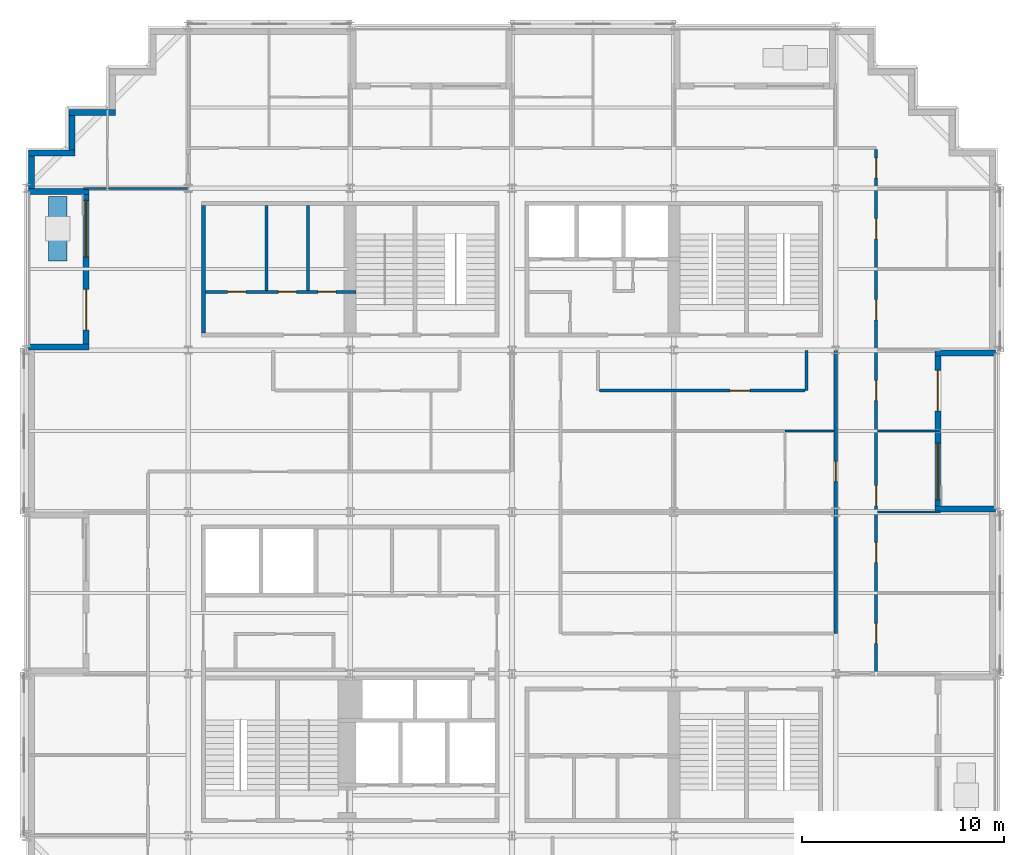
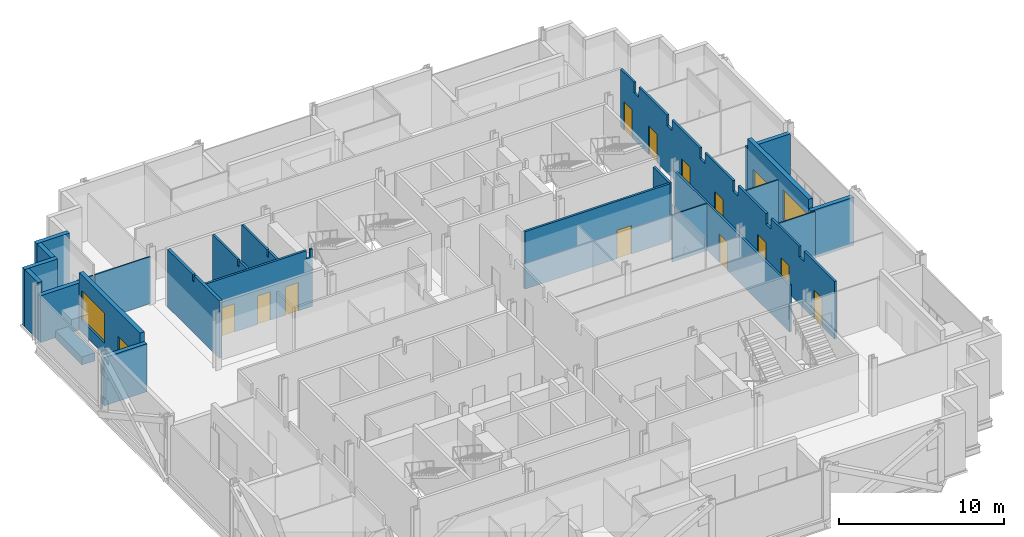
# One storey, part 9 of 15: 24 walls, 14 doors, 2 windows, 16 openings.
"""IFC4 building model written with IfcOpenShell, lengths in metres."""

from ifc_helpers import new_model, si_unit, direction, frame, frame_2d, origin, place, context, subcontext, project, spatial, polyline, rectangle, outline, extrude, material, layer, layer_set, type_object, element, fill, save


model = new_model("IFC4")

# Units and contexts
model_context = context("Model", 3, precision=1e-05, world=origin(), true_north=direction((0.0, 1.0)))
body_context = subcontext(model_context, "Body", "Model", "MODEL_VIEW")
ifc_project = project(units=[si_unit("LENGTHUNIT", "METRE"), si_unit("AREAUNIT", "SQUARE_METRE"), si_unit("VOLUMEUNIT", "CUBIC_METRE"), si_unit("PLANEANGLEUNIT", "RADIAN"), si_unit("MASSUNIT", "GRAM", prefix="KILO")], contexts=[model_context])

# Site, building, storey
site_placement = place(None, origin())
site = spatial("IfcSite", under=ifc_project, at=site_placement, CompositionType="ELEMENT")
building_placement = place(site_placement, origin())
building = spatial("IfcBuilding", under=site, at=building_placement, Name="Immortelle Media Tower", CompositionType="ELEMENT")
storey_placement = place(building_placement, frame((0.0, 0.0, 65.60009765625)))
storey = spatial("IfcBuildingStorey", under=building, at=storey_placement, Name="L11", CompositionType="ELEMENT", Elevation=65.60009765625)

# Wall, openings, doors
ifc_material_1 = material(Name="Fire-rated gypsum board", Category="gypsum")
ifc_layer_1 = layer(ifc_material_1, 0.02490234375)
ifc_material_2 = material(Name="Steel ASTM A653 SS Gr 50 stud frame with mineral wool", Category="steel")
ifc_layer_2 = layer(ifc_material_2, 0.10009765625)
ifc_layer_3 = layer(ifc_material_1, 0.02490234375)
ifc_layer_set_1 = layer_set([ifc_layer_1, ifc_layer_2, ifc_layer_3], Name="Steel ASTM A653 SS Gr 50 stud frame with mineral wool")
wall_type_1 = type_object("IfcWallType", Name="Core partition 150", PredefinedType="PARTITIONING", material=ifc_layer_set_1)
wall_1_placement = place(storey_placement, frame((8.85009765625, 34.875, 0.0), z_axis=(0.0, 0.0, 1.0), x_axis=(1.0, 0.0, 0.0)))
wall_1 = element("IfcWall", 1, at=wall_1_placement, inside=storey, type_object=wall_type_1, Name="Core partition NW", PredefinedType="PARTITIONING", context=body_context, shape_type="SweptSolid", body=[
    extrude(outline(polyline([(0.0, 0.0), (7.449951171875, 0.0), (7.449951171875, 4.25), (7.26953125, 4.25), (7.2685546875, 3.6318359375), (7.031494140625, 3.6318359375), (7.030517578125, 4.25), (0.0, 4.25), (0.0, 0.0)])), frame((0.0, 0.074951171875, 0.0), z_axis=(0.0, -1.0, 0.0), x_axis=(1.0, 0.0, 0.0)), (0.0, 0.0, 1.0), 0.14990234375),
])
opening_1_placement = place(wall_1_placement, frame((1.10009765625, 0.0, 0.0)))
opening_1 = element("IfcOpeningElement", 2, at=opening_1_placement, cuts=wall_1, Name="Opening N3-K043", PredefinedType="OPENING", context=body_context, shape_type="SweptSolid", body=[
    extrude(rectangle(XDim=0.89990234375, YDim=2.10009765625, at=frame_2d((0.449951171875, 1.050048828125))), frame((0.0, 0.0849609375, 0.0), z_axis=(0.0, -1.0, 0.0), x_axis=(1.0, 0.0, 0.0)), (0.0, 0.0, 1.0), 0.169921875),
])
opening_2_placement = place(wall_1_placement, frame((3.60009765625, 0.0, 0.0)))
opening_2 = element("IfcOpeningElement", 3, at=opening_2_placement, cuts=wall_1, Name="Opening N3-K044", PredefinedType="OPENING", context=body_context, shape_type="SweptSolid", body=[
    extrude(rectangle(XDim=0.89990234375, YDim=2.10009765625, at=frame_2d((0.449951171875, 1.050048828125))), frame((0.0, 0.0849609375, 0.0), z_axis=(0.0, -1.0, 0.0), x_axis=(1.0, 0.0, 0.0)), (0.0, 0.0, 1.0), 0.169921875),
])
opening_3_placement = place(wall_1_placement, frame((5.550048828125, 0.0, 0.0)))
opening_3 = element("IfcOpeningElement", 4, at=opening_3_placement, cuts=wall_1, Name="Opening N3-K045", PredefinedType="OPENING", context=body_context, shape_type="SweptSolid", body=[
    extrude(rectangle(XDim=0.89990234375, YDim=2.10009765625, at=frame_2d((0.449951171875, 1.050048828125))), frame((0.0, 0.0849609375, 0.0), z_axis=(0.0, -1.0, 0.0), x_axis=(1.0, 0.0, 0.0)), (0.0, 0.0, 1.0), 0.169921875),
])
ifc_material_3 = material(Name="Timber", Category="wood")
door_type_1 = type_object("IfcDoorType", Name="Room door 900 x 2100", OperationType="NOTDEFINED", PredefinedType="NOTDEFINED", material=ifc_material_3)
door_1_placement = place(opening_1_placement, origin())
door_1 = element("IfcDoor", 5, at=door_1_placement, inside=storey, type_object=door_type_1, Name="Room N3-K043", OperationType="SINGLE_SWING_LEFT", OverallHeight=2.10009765625, OverallWidth=0.89990234375, PredefinedType="NOTDEFINED", context=body_context, shape_type="SweptSolid", body=[
    extrude(rectangle(XDim=0.89990234375, YDim=2.10009765625, at=frame_2d((0.449951171875, 1.050048828125))), frame((0.0, 0.02490234375, 0.0), z_axis=(0.0, -1.0, 0.0), x_axis=(1.0, 0.0, 0.0)), (0.0, 0.0, 1.0), 0.050048828125),
])
fill(opening_1, door_1)
door_2_placement = place(opening_2_placement, origin())
door_2 = element("IfcDoor", 6, at=door_2_placement, inside=storey, type_object=door_type_1, Name="Room N3-K044", OperationType="SINGLE_SWING_RIGHT", OverallHeight=2.10009765625, OverallWidth=0.89990234375, PredefinedType="NOTDEFINED", context=body_context, shape_type="SweptSolid", body=[
    extrude(rectangle(XDim=0.89990234375, YDim=2.10009765625, at=frame_2d((0.449951171875, 1.050048828125))), frame((0.0, 0.02490234375, 0.0), z_axis=(0.0, -1.0, 0.0), x_axis=(1.0, 0.0, 0.0)), (0.0, 0.0, 1.0), 0.050048828125),
])
fill(opening_2, door_2)
ifc_material_4 = material(Name="Galvanised steel door leaf and frame ASTM A653", Category="steel")
door_type_2 = type_object("IfcDoorType", Name="Service door 900 x 2100", OperationType="NOTDEFINED", PredefinedType="NOTDEFINED", material=ifc_material_4)
door_3_placement = place(opening_3_placement, origin())
door_3 = element("IfcDoor", 7, at=door_3_placement, inside=storey, type_object=door_type_2, Name="Service N3-K045", OperationType="SINGLE_SWING_RIGHT", OverallHeight=2.10009765625, OverallWidth=0.89990234375, PredefinedType="NOTDEFINED", context=body_context, shape_type="SweptSolid", body=[
    extrude(rectangle(XDim=0.89990234375, YDim=2.10009765625, at=frame_2d((0.449951171875, 1.050048828125))), frame((0.0, 0.02490234375, 0.0), z_axis=(0.0, -1.0, 0.0), x_axis=(1.0, 0.0, 0.0)), (0.0, 0.0, 1.0), 0.050048828125),
])
fill(opening_3, door_3)

# Walls
for number, where, z_axis, x_axis, name in (
    (8, (11.875, 34.949951171875, 0.0), (0.0, 0.0, 1.0), (0.0, 1.0, 0.0), "Core partition NW"),
    (9, (13.925048828125, 34.949951171875, 0.0), (0.0, 0.0, 1.0), (0.0, 1.0, 0.0), "Core partition NW"),
):
    element("IfcWall", number, at=place(storey_placement, frame(where, z_axis=z_axis, x_axis=x_axis)), inside=storey, type_object=wall_type_1, Name=name, PredefinedType="PARTITIONING", context=body_context, shape_type="SweptSolid", body=[
        extrude(outline(polyline([(0.0, 0.0), (4.199951171875, 0.0), (4.199951171875, 4.25), (1.131591796875, 4.25), (1.130615234375, 3.788818359375), (0.969482421875, 3.788818359375), (0.968505859375, 4.25), (0.0, 4.25), (0.0, 0.0)])), frame((0.0, 0.074951171875, 0.0), z_axis=(0.0, -1.0, 0.0), x_axis=(1.0, 0.0, 0.0)), (0.0, 0.0, 1.0), 0.14990234375),
    ])
ifc_layer_4 = layer(ifc_material_1, 0.03759765625)
ifc_layer_5 = layer(ifc_material_2, 0.125)
ifc_layer_6 = layer(ifc_material_1, 0.03759765625)
ifc_layer_set_2 = layer_set([ifc_layer_4, ifc_layer_5, ifc_layer_6], Name="Steel ASTM A653 SS Gr 50 stud frame with mineral wool")
wall_type_2 = type_object("IfcWallType", Name="Core shaft wall 200", PredefinedType="PARTITIONING", material=ifc_layer_set_2)
wall_2_placement = place(storey_placement, frame((8.75, 32.85009765625, 0.0), z_axis=(0.0, 0.0, 1.0), x_axis=(0.0, 1.0, 0.0)))
element("IfcWall", 10, at=wall_2_placement, inside=storey, type_object=wall_type_2, Name="Core shaft wall NW", PredefinedType="PARTITIONING", context=body_context, shape_type="SweptSolid", body=[
    extrude(outline(polyline([(0.0, 0.0), (6.2998046875, 0.0), (6.300048828125, 4.25), (3.2314453125, 4.25), (3.23046875, 3.788818359375), (3.069580078125, 3.788818359375), (3.068603515625, 4.25), (0.0, 4.25), (0.0, 0.0)])), frame((0.0, 0.10009765625, 0.0), z_axis=(0.0, -1.0, 0.0), x_axis=(1.0, 0.0, 0.0)), (0.0, 0.0, 1.0), 0.199951171875),
])

# Wall, openings, doors
ifc_layer_7 = layer(ifc_material_1, 0.012451171875)
ifc_layer_8 = layer(ifc_material_2, 0.125)
ifc_layer_9 = layer(ifc_material_1, 0.012451171875)
ifc_layer_set_3 = layer_set([ifc_layer_7, ifc_layer_8, ifc_layer_9], Name="Steel ASTM A653 SS Gr 50 stud frame with mineral wool")
wall_type_3 = type_object("IfcWallType", Name="Corridor wall 150", PredefinedType="PARTITIONING", material=ifc_layer_set_3)
wall_3_placement = place(storey_placement, frame((42.0, 16.0, 0.0), z_axis=(0.0, 0.0, 1.0), x_axis=(0.0, 1.0, 0.0)))
wall_3 = element("IfcWall", 11, at=wall_3_placement, inside=storey, type_object=wall_type_3, Name="Partition L11-017", PredefinedType="PARTITIONING", context=body_context, shape_type="SweptSolid", body=[
    extrude(outline(polyline([(0.0, 0.0), (25.925048828125, 0.0), (25.925048828125, 4.25), (24.300048828125, 4.25), (24.298095703125, 3.469970703125), (23.701904296875, 3.469970703125), (23.699951171875, 4.25), (20.300048828125, 4.25), (20.298095703125, 3.469970703125), (19.701904296875, 3.469970703125), (19.699951171875, 4.25), (16.300048828125, 4.25), (16.298095703125, 3.469970703125), (15.701904296875, 3.469970703125), (15.699951171875, 4.25), (12.300048828125, 4.25), (12.298095703125, 3.469970703125), (11.701904296875, 3.469970703125), (11.699951171875, 4.25), (8.300048828125, 4.25), (8.298095703125, 3.469970703125), (7.701904296875, 3.469970703125), (7.699951171875, 4.25), (4.300048828125, 4.25), (4.298095703125, 3.469970703125), (3.701904296875, 3.469970703125), (3.699951171875, 4.25), (0.0, 4.25), (0.0, 0.0)])), frame((0.0, 0.074951171875, 0.0), z_axis=(0.0, -1.0, 0.0), x_axis=(1.0, 0.0, 0.0)), (0.0, 0.0, 1.0), 0.14990234375),
])
opening_4_placement = place(wall_3_placement, frame((2.5, 0.0, 0.0), z_axis=(0.0, 0.0, 1.0), x_axis=(-1.0, 0.0, 0.0)))
opening_4 = element("IfcOpeningElement", 12, at=opening_4_placement, cuts=wall_3, Name="Opening N3-F012", PredefinedType="OPENING", context=body_context, shape_type="SweptSolid", body=[
    extrude(rectangle(XDim=1.0, YDim=2.10009765625, at=frame_2d((0.5, 1.050048828125))), frame((0.0, 0.0849609375, 0.0), z_axis=(0.0, -1.0, 0.0), x_axis=(1.0, 0.0, 0.0)), (0.0, 0.0, 1.0), 0.169921875),
])
opening_5_placement = place(wall_3_placement, frame((6.5, 0.0, 0.0), z_axis=(0.0, 0.0, 1.0), x_axis=(-1.0, 0.0, 0.0)))
opening_5 = element("IfcOpeningElement", 13, at=opening_5_placement, cuts=wall_3, Name="Opening N3-F013", PredefinedType="OPENING", context=body_context, shape_type="SweptSolid", body=[
    extrude(rectangle(XDim=1.0, YDim=2.10009765625, at=frame_2d((0.5, 1.050048828125))), frame((0.0, 0.0849609375, 0.0), z_axis=(0.0, -1.0, 0.0), x_axis=(1.0, 0.0, 0.0)), (0.0, 0.0, 1.0), 0.169921875),
])
opening_6_placement = place(wall_3_placement, frame((9.300048828125, 0.0, 0.0), z_axis=(0.0, 0.0, 1.0), x_axis=(-1.0, 0.0, 0.0)))
opening_6 = element("IfcOpeningElement", 14, at=opening_6_placement, cuts=wall_3, Name="Opening N3-F021", PredefinedType="OPENING", context=body_context, shape_type="SweptSolid", body=[
    extrude(rectangle(XDim=1.0, YDim=2.10009765625, at=frame_2d((0.5, 1.050048828125))), frame((0.0, 0.0849609375, 0.0), z_axis=(0.0, -1.0, 0.0), x_axis=(1.0, 0.0, 0.0)), (0.0, 0.0, 1.0), 0.169921875),
])
opening_7_placement = place(wall_3_placement, frame((14.5, 0.0, 0.0), z_axis=(0.0, 0.0, 1.0), x_axis=(-1.0, 0.0, 0.0)))
opening_7 = element("IfcOpeningElement", 15, at=opening_7_placement, cuts=wall_3, Name="Opening N3-F022", PredefinedType="OPENING", context=body_context, shape_type="SweptSolid", body=[
    extrude(rectangle(XDim=1.0, YDim=2.10009765625, at=frame_2d((0.5, 1.050048828125))), frame((0.0, 0.0849609375, 0.0), z_axis=(0.0, -1.0, 0.0), x_axis=(1.0, 0.0, 0.0)), (0.0, 0.0, 1.0), 0.169921875),
])
opening_8_placement = place(wall_3_placement, frame((18.5, 0.0, 0.0), z_axis=(0.0, 0.0, 1.0), x_axis=(-1.0, 0.0, 0.0)))
opening_8 = element("IfcOpeningElement", 16, at=opening_8_placement, cuts=wall_3, Name="Opening N3-F026", PredefinedType="OPENING", context=body_context, shape_type="SweptSolid", body=[
    extrude(rectangle(XDim=1.0, YDim=2.10009765625, at=frame_2d((0.5, 1.050048828125))), frame((0.0, 0.0849609375, 0.0), z_axis=(0.0, -1.0, 0.0), x_axis=(1.0, 0.0, 0.0)), (0.0, 0.0, 1.0), 0.169921875),
])
opening_9_placement = place(wall_3_placement, frame((22.5, 0.0, 0.0), z_axis=(0.0, 0.0, 1.0), x_axis=(-1.0, 0.0, 0.0)))
opening_9 = element("IfcOpeningElement", 17, at=opening_9_placement, cuts=wall_3, Name="Opening N3-F027", PredefinedType="OPENING", context=body_context, shape_type="SweptSolid", body=[
    extrude(rectangle(XDim=1.0, YDim=2.10009765625, at=frame_2d((0.5, 1.050048828125))), frame((0.0, 0.0849609375, 0.0), z_axis=(0.0, -1.0, 0.0), x_axis=(1.0, 0.0, 0.0)), (0.0, 0.0, 1.0), 0.169921875),
])
opening_10_placement = place(wall_3_placement, frame((25.5, 0.0, 0.0), z_axis=(0.0, 0.0, 1.0), x_axis=(-1.0, 0.0, 0.0)))
opening_10 = element("IfcOpeningElement", 18, at=opening_10_placement, cuts=wall_3, Name="Opening N3-F031", PredefinedType="OPENING", context=body_context, shape_type="SweptSolid", body=[
    extrude(rectangle(XDim=1.0, YDim=2.10009765625, at=frame_2d((0.5, 1.050048828125))), frame((0.0, 0.0849609375, 0.0), z_axis=(0.0, -1.0, 0.0), x_axis=(1.0, 0.0, 0.0)), (0.0, 0.0, 1.0), 0.169921875),
])
ifc_material_5 = material(Name="Timber veneered door leaf, galvanised steel frame ASTM A653", Category="steel")
door_type_3 = type_object("IfcDoorType", Name="Room door 1000 x 2100", OperationType="NOTDEFINED", PredefinedType="DOOR", material=ifc_material_5)
door_4_placement = place(opening_4_placement, origin())
door_4 = element("IfcDoor", 19, at=door_4_placement, inside=storey, type_object=door_type_3, Name="Door N3-F012", OperationType="SINGLE_SWING_RIGHT", OverallHeight=2.10009765625, OverallWidth=1.0, PredefinedType="DOOR", context=body_context, shape_type="SweptSolid", body=[
    extrude(rectangle(XDim=1.0, YDim=2.10009765625, at=frame_2d((0.5, 1.050048828125))), frame((0.0, 0.02490234375, 0.0), z_axis=(0.0, -1.0, 0.0), x_axis=(1.0, 0.0, 0.0)), (0.0, 0.0, 1.0), 0.050048828125),
])
fill(opening_4, door_4)
door_5_placement = place(opening_5_placement, origin())
door_5 = element("IfcDoor", 20, at=door_5_placement, inside=storey, type_object=door_type_3, Name="Door N3-F013", OperationType="SINGLE_SWING_RIGHT", OverallHeight=2.10009765625, OverallWidth=1.0, PredefinedType="DOOR", context=body_context, shape_type="SweptSolid", body=[
    extrude(rectangle(XDim=1.0, YDim=2.10009765625, at=frame_2d((0.5, 1.050048828125))), frame((0.0, 0.02490234375, 0.0), z_axis=(0.0, -1.0, 0.0), x_axis=(1.0, 0.0, 0.0)), (0.0, 0.0, 1.0), 0.050048828125),
])
fill(opening_5, door_5)
door_6_placement = place(opening_6_placement, origin())
door_6 = element("IfcDoor", 21, at=door_6_placement, inside=storey, type_object=door_type_3, Name="Door N3-F021", OperationType="SINGLE_SWING_RIGHT", OverallHeight=2.10009765625, OverallWidth=1.0, PredefinedType="DOOR", context=body_context, shape_type="SweptSolid", body=[
    extrude(rectangle(XDim=1.0, YDim=2.10009765625, at=frame_2d((0.5, 1.050048828125))), frame((0.0, 0.02490234375, 0.0), z_axis=(0.0, -1.0, 0.0), x_axis=(1.0, 0.0, 0.0)), (0.0, 0.0, 1.0), 0.050048828125),
])
fill(opening_6, door_6)
door_7_placement = place(opening_7_placement, origin())
door_7 = element("IfcDoor", 22, at=door_7_placement, inside=storey, type_object=door_type_3, Name="Door N3-F022", OperationType="SINGLE_SWING_RIGHT", OverallHeight=2.10009765625, OverallWidth=1.0, PredefinedType="DOOR", context=body_context, shape_type="SweptSolid", body=[
    extrude(rectangle(XDim=1.0, YDim=2.10009765625, at=frame_2d((0.5, 1.050048828125))), frame((0.0, 0.02490234375, 0.0), z_axis=(0.0, -1.0, 0.0), x_axis=(1.0, 0.0, 0.0)), (0.0, 0.0, 1.0), 0.050048828125),
])
fill(opening_7, door_7)
door_8_placement = place(opening_8_placement, origin())
door_8 = element("IfcDoor", 23, at=door_8_placement, inside=storey, type_object=door_type_3, Name="Door N3-F026", OperationType="SINGLE_SWING_RIGHT", OverallHeight=2.10009765625, OverallWidth=1.0, PredefinedType="DOOR", context=body_context, shape_type="SweptSolid", body=[
    extrude(rectangle(XDim=1.0, YDim=2.10009765625, at=frame_2d((0.5, 1.050048828125))), frame((0.0, 0.02490234375, 0.0), z_axis=(0.0, -1.0, 0.0), x_axis=(1.0, 0.0, 0.0)), (0.0, 0.0, 1.0), 0.050048828125),
])
fill(opening_8, door_8)
door_9_placement = place(opening_9_placement, origin())
door_9 = element("IfcDoor", 24, at=door_9_placement, inside=storey, type_object=door_type_3, Name="Door N3-F027", OperationType="SINGLE_SWING_RIGHT", OverallHeight=2.10009765625, OverallWidth=1.0, PredefinedType="DOOR", context=body_context, shape_type="SweptSolid", body=[
    extrude(rectangle(XDim=1.0, YDim=2.10009765625, at=frame_2d((0.5, 1.050048828125))), frame((0.0, 0.02490234375, 0.0), z_axis=(0.0, -1.0, 0.0), x_axis=(1.0, 0.0, 0.0)), (0.0, 0.0, 1.0), 0.050048828125),
])
fill(opening_9, door_9)
door_10_placement = place(opening_10_placement, origin())
door_10 = element("IfcDoor", 25, at=door_10_placement, inside=storey, type_object=door_type_3, Name="Door N3-F031", OperationType="SINGLE_SWING_RIGHT", OverallHeight=2.10009765625, OverallWidth=1.0, PredefinedType="DOOR", context=body_context, shape_type="SweptSolid", body=[
    extrude(rectangle(XDim=1.0, YDim=2.10009765625, at=frame_2d((0.5, 1.050048828125))), frame((0.0, 0.02490234375, 0.0), z_axis=(0.0, -1.0, 0.0), x_axis=(1.0, 0.0, 0.0)), (0.0, 0.0, 1.0), 0.050048828125),
])
fill(opening_10, door_10)

# Wall, opening, door
wall_4_placement = place(storey_placement, frame((40.0, 18.0, 0.0), z_axis=(0.0, 0.0, 1.0), x_axis=(0.0, 1.0, 0.0)))
wall_4 = element("IfcWall", 26, at=wall_4_placement, inside=storey, type_object=wall_type_3, Name="Partition L11-020", PredefinedType="PARTITIONING", context=body_context, shape_type="SweptSolid", body=[
    extrude(rectangle(XDim=13.969970703125, YDim=0.14990234375, at=frame_2d((6.98486328125, 0.0))), origin(), (0.0, 0.0, 1.0), 3.469970703125),
])
opening_11_placement = place(wall_4_placement, frame((7.5, 0.0, 0.0)))
opening_11 = element("IfcOpeningElement", 27, at=opening_11_placement, cuts=wall_4, Name="Opening N3-F016", PredefinedType="OPENING", context=body_context, shape_type="SweptSolid", body=[
    extrude(rectangle(XDim=1.0, YDim=2.10009765625, at=frame_2d((0.5, 1.050048828125))), frame((0.0, 0.0849609375, 0.0), z_axis=(0.0, -1.0, 0.0), x_axis=(1.0, 0.0, 0.0)), (0.0, 0.0, 1.0), 0.169921875),
])
door_11_placement = place(opening_11_placement, origin())
door_11 = element("IfcDoor", 28, at=door_11_placement, inside=storey, type_object=door_type_3, Name="Door N3-F016", OperationType="SINGLE_SWING_LEFT", OverallHeight=2.10009765625, OverallWidth=1.0, PredefinedType="DOOR", context=body_context, shape_type="SweptSolid", body=[
    extrude(rectangle(XDim=1.0, YDim=2.10009765625, at=frame_2d((0.5, 1.050048828125))), frame((0.0, 0.02490234375, 0.0), z_axis=(0.0, -1.0, 0.0), x_axis=(1.0, 0.0, 0.0)), (0.0, 0.0, 1.0), 0.050048828125),
])
fill(opening_11, door_11)

wall_5_placement = place(storey_placement, frame((28.324951171875, 30.0, 0.0), z_axis=(0.0, 0.0, 1.0), x_axis=(1.0, 0.0, 0.0)))
wall_5 = element("IfcWall", 29, at=wall_5_placement, inside=storey, type_object=wall_type_3, Name="Partition L11-042", PredefinedType="PARTITIONING", context=body_context, shape_type="SweptSolid", body=[
    extrude(rectangle(XDim=10.150146484375, YDim=0.14990234375, at=frame_2d((5.0751953125, 0.0))), origin(), (0.0, 0.0, 1.0), 4.25),
])
opening_12_placement = place(wall_5_placement, frame((7.449951171875, 0.0, 0.0), z_axis=(0.0, 0.0, 1.0), x_axis=(-1.0, 0.0, 0.0)))
opening_12 = element("IfcOpeningElement", 30, at=opening_12_placement, cuts=wall_5, Name="Opening N3-F018", PredefinedType="OPENING", context=body_context, shape_type="SweptSolid", body=[
    extrude(rectangle(XDim=1.0, YDim=2.10009765625, at=frame_2d((0.5, 1.050048828125))), frame((0.0, 0.0849609375, 0.0), z_axis=(0.0, -1.0, 0.0), x_axis=(1.0, 0.0, 0.0)), (0.0, 0.0, 1.0), 0.169921875),
])
door_12_placement = place(opening_12_placement, origin())
door_12 = element("IfcDoor", 31, at=door_12_placement, inside=storey, type_object=door_type_3, Name="Door N3-F018", OperationType="SINGLE_SWING_RIGHT", OverallHeight=2.10009765625, OverallWidth=1.0, PredefinedType="DOOR", context=body_context, shape_type="SweptSolid", body=[
    extrude(rectangle(XDim=1.0, YDim=2.10009765625, at=frame_2d((0.5, 1.050048828125))), frame((0.0, 0.02490234375, 0.0), z_axis=(0.0, -1.0, 0.0), x_axis=(1.0, 0.0, 0.0)), (0.0, 0.0, 1.0), 0.050048828125),
])
fill(opening_12, door_12)

# Walls
wall_6_placement = place(storey_placement, frame((38.550048828125, 30.0, 0.0), z_axis=(0.0, 0.0, 1.0), x_axis=(0.0, 1.0, 0.0)))
element("IfcWall", 32, at=wall_6_placement, inside=storey, type_object=wall_type_3, Name="Partition L11-044", PredefinedType="PARTITIONING", context=body_context, shape_type="SweptSolid", body=[
    extrude(rectangle(XDim=1.969970703125, YDim=0.14990234375, at=frame_2d((0.98486328125, 0.0))), origin(), (0.0, 0.0, 1.0), 4.25),
])
ifc_material_6 = material(Name="Pale aluminium cladding panel", Category="aluminium")
ifc_layer_10 = layer(ifc_material_6, 0.030029296875)
ifc_layer_11 = layer(ifc_material_2, 0.257568359375)
ifc_material_7 = material(Name="Moisture-resistant gypsum board", Category="gypsum")
ifc_layer_12 = layer(ifc_material_7, 0.012451171875)
ifc_layer_set_4 = layer_set([ifc_layer_10, ifc_layer_11, ifc_layer_12], Name="Steel ASTM A653 SS Gr 50 stud frame with mineral wool")
wall_type_4 = type_object("IfcWallType", Name="Facade wall 300", PredefinedType="SOLIDWALL", material=ifc_layer_set_4)
wall_7_placement = place(storey_placement, frame((0.25, 41.60009765625, 0.0), z_axis=(0.0, 0.0, 1.0), x_axis=(0.0, -1.0, 0.0)))
element("IfcWall", 33, at=wall_7_placement, inside=storey, type_object=wall_type_4, Name="Facade wall L11 W0", PredefinedType="SOLIDWALL", context=body_context, shape_type="SweptSolid", body=[
    extrude(rectangle(XDim=1.60009765625, YDim=0.300048828125, at=frame_2d((0.800048828125, 0.0))), origin(), (0.0, 0.0, 1.0), 4.25),
])

# Wall, openings, door, window
wall_8_placement = place(storey_placement, frame((2.949951171875, 39.699951171875, 0.0), z_axis=(0.0, 0.0, 1.0), x_axis=(0.0, -1.0, 0.0)))
wall_8 = element("IfcWall", 34, at=wall_8_placement, inside=storey, type_object=wall_type_4, Name="Loggia wall L11 W0", PredefinedType="SOLIDWALL", context=body_context, shape_type="SweptSolid", body=[
    extrude(rectangle(XDim=7.39990234375, YDim=0.300048828125, at=frame_2d((3.699951171875, 0.0))), origin(), (0.0, 0.0, 1.0), 4.25),
])
opening_13_placement = place(wall_8_placement, frame((0.300048828125, 0.0, 0.89990234375)))
opening_13 = element("IfcOpeningElement", 35, at=opening_13_placement, cuts=wall_8, Name="Opening W1", PredefinedType="OPENING", context=body_context, shape_type="SweptSolid", body=[
    extrude(rectangle(XDim=2.800048828125, YDim=2.199951171875, at=frame_2d((1.39990234375, 1.10009765625))), frame((0.0, 0.159912109375, 0.0), z_axis=(0.0, -1.0, 0.0), x_axis=(1.0, 0.0, 0.0)), (0.0, 0.0, 1.0), 0.320068359375),
])
opening_14_placement = place(wall_8_placement, frame((4.699951171875, 0.0, 0.0)))
opening_14 = element("IfcOpeningElement", 36, at=opening_14_placement, cuts=wall_8, Name="Opening N3-E001", PredefinedType="OPENING", context=body_context, shape_type="SweptSolid", body=[
    extrude(rectangle(XDim=2.0, YDim=2.39990234375, at=frame_2d((1.0, 1.199951171875))), frame((0.0, 0.159912109375, 0.0), z_axis=(0.0, -1.0, 0.0), x_axis=(1.0, 0.0, 0.0)), (0.0, 0.0, 1.0), 0.320068359375),
])
ifc_material_8 = material(Name="Aluminium frame, glazed leaves", Category="aluminium")
door_type_4 = type_object("IfcDoorType", Name="Loggia door 2000 x 2400", OperationType="DOUBLE_DOOR_SINGLE_SWING", PredefinedType="DOOR", material=ifc_material_8)
door_13_placement = place(opening_14_placement, origin())
door_13 = element("IfcDoor", 37, at=door_13_placement, inside=storey, type_object=door_type_4, Name="Door N3-E001", OperationType="DOUBLE_DOOR_SINGLE_SWING", OverallHeight=2.39990234375, OverallWidth=2.0, PredefinedType="DOOR", context=body_context, shape_type="SweptSolid", body=[
    extrude(rectangle(XDim=2.0, YDim=2.39990234375, at=frame_2d((1.0, 1.199951171875))), frame((0.0, 0.02490234375, 0.0), z_axis=(0.0, -1.0, 0.0), x_axis=(1.0, 0.0, 0.0)), (0.0, 0.0, 1.0), 0.050048828125),
])
fill(opening_14, door_13)
ifc_material_9 = material(Name="Aluminium frame", Category="aluminium")
window_type = type_object("IfcWindowType", Name="Window 2800 x 2200", PartitioningType="SINGLE_PANEL", PredefinedType="WINDOW", material=ifc_material_9)
window_1_placement = place(opening_13_placement, origin())
window_1 = element("IfcWindow", 38, at=window_1_placement, inside=storey, type_object=window_type, Name="Window L11 L11-R0-B0", OverallHeight=2.199951171875, OverallWidth=2.800048828125, PartitioningType="SINGLE_PANEL", PredefinedType="WINDOW", context=body_context, shape_type="SweptSolid", body=[
    extrude(rectangle(XDim=2.800048828125, YDim=2.199951171875, at=frame_2d((1.39990234375, 1.10009765625))), frame((0.0, 0.030029296875, 0.0), z_axis=(0.0, -1.0, 0.0), x_axis=(1.0, 0.0, 0.0)), (0.0, 0.0, 1.0), 0.06005859375),
])
fill(opening_13, window_1)

# Walls
wall_9_placement = place(storey_placement, frame((0.10009765625, 39.85009765625, 0.0), z_axis=(0.0, 0.0, 1.0), x_axis=(1.0, 0.0, 0.0)))
element("IfcWall", 39, at=wall_9_placement, inside=storey, type_object=wall_type_4, Name="Loggia cheek wall L11 W", PredefinedType="SOLIDWALL", context=body_context, shape_type="SweptSolid", body=[
    extrude(rectangle(XDim=3.0, YDim=0.300048828125, at=frame_2d((1.5, 0.0))), origin(), (0.0, 0.0, 1.0), 3.468994140625),
])
wall_10_placement = place(storey_placement, frame((0.10009765625, 32.14990234375, 0.0), z_axis=(0.0, 0.0, 1.0), x_axis=(1.0, 0.0, 0.0)))
element("IfcWall", 40, at=wall_10_placement, inside=storey, type_object=wall_type_4, Name="Loggia cheek wall L11 W", PredefinedType="SOLIDWALL", context=body_context, shape_type="SweptSolid", body=[
    extrude(rectangle(XDim=3.0, YDim=0.300048828125, at=frame_2d((1.5, 0.0))), origin(), (0.0, 0.0, 1.0), 3.555908203125),
])

# Wall, openings, door, window
wall_11_placement = place(storey_placement, frame((45.050048828125, 24.300048828125, 0.0), z_axis=(0.0, 0.0, 1.0), x_axis=(0.0, 1.0, 0.0)))
wall_11 = element("IfcWall", 41, at=wall_11_placement, inside=storey, type_object=wall_type_4, Name="Loggia wall L11 E14", PredefinedType="SOLIDWALL", context=body_context, shape_type="SweptSolid", body=[
    extrude(rectangle(XDim=7.39990234375, YDim=0.300048828125, at=frame_2d((3.699951171875, 0.0))), origin(), (0.0, 0.0, 1.0), 4.25),
])
opening_15_placement = place(wall_11_placement, frame((0.300048828125, 0.0, 0.89990234375)))
opening_15 = element("IfcOpeningElement", 42, at=opening_15_placement, cuts=wall_11, Name="Opening W1", PredefinedType="OPENING", context=body_context, shape_type="SweptSolid", body=[
    extrude(rectangle(XDim=2.800048828125, YDim=2.199951171875, at=frame_2d((1.39990234375, 1.10009765625))), frame((0.0, 0.159912109375, 0.0), z_axis=(0.0, -1.0, 0.0), x_axis=(1.0, 0.0, 0.0)), (0.0, 0.0, 1.0), 0.320068359375),
])
opening_16_placement = place(wall_11_placement, frame((4.699951171875, 0.0, 0.0)))
opening_16 = element("IfcOpeningElement", 43, at=opening_16_placement, cuts=wall_11, Name="Opening N3-E006", PredefinedType="OPENING", context=body_context, shape_type="SweptSolid", body=[
    extrude(rectangle(XDim=2.0, YDim=2.39990234375, at=frame_2d((1.0, 1.199951171875))), frame((0.0, 0.159912109375, 0.0), z_axis=(0.0, -1.0, 0.0), x_axis=(1.0, 0.0, 0.0)), (0.0, 0.0, 1.0), 0.320068359375),
])
door_14_placement = place(opening_16_placement, origin())
door_14 = element("IfcDoor", 44, at=door_14_placement, inside=storey, type_object=door_type_4, Name="Door N3-E006", OperationType="DOUBLE_DOOR_SINGLE_SWING", OverallHeight=2.39990234375, OverallWidth=2.0, PredefinedType="DOOR", context=body_context, shape_type="SweptSolid", body=[
    extrude(rectangle(XDim=2.0, YDim=2.39990234375, at=frame_2d((1.0, 1.199951171875))), frame((0.0, 0.02490234375, 0.0), z_axis=(0.0, -1.0, 0.0), x_axis=(1.0, 0.0, 0.0)), (0.0, 0.0, 1.0), 0.050048828125),
])
fill(opening_16, door_14)
window_2_placement = place(opening_15_placement, origin())
window_2 = element("IfcWindow", 45, at=window_2_placement, inside=storey, type_object=window_type, Name="Window L11 L11-R14-B2", OverallHeight=2.199951171875, OverallWidth=2.800048828125, PartitioningType="SINGLE_PANEL", PredefinedType="WINDOW", context=body_context, shape_type="SweptSolid", body=[
    extrude(rectangle(XDim=2.800048828125, YDim=2.199951171875, at=frame_2d((1.39990234375, 1.10009765625))), frame((0.0, 0.030029296875, 0.0), z_axis=(0.0, -1.0, 0.0), x_axis=(1.0, 0.0, 0.0)), (0.0, 0.0, 1.0), 0.06005859375),
])
fill(opening_15, window_2)

# Walls
for number, where, z_axis, x_axis, name in (
    (46, (47.89990234375, 24.14990234375, 0.0), (0.0, 0.0, 1.0), (-1.0, 0.0, 0.0), "Loggia cheek wall L11 E"),
    (47, (47.89990234375, 31.85009765625, 0.0), (0.0, 0.0, 1.0), (-1.0, 0.0, 0.0), "Loggia cheek wall L11 E"),
):
    element("IfcWall", number, at=place(storey_placement, frame(where, z_axis=z_axis, x_axis=x_axis)), inside=storey, type_object=wall_type_4, Name=name, PredefinedType="SOLIDWALL", context=body_context, shape_type="SweptSolid", body=[
        extrude(rectangle(XDim=3.0, YDim=0.300048828125, at=frame_2d((1.5, 0.0))), origin(), (0.0, 0.0, 1.0), 3.555908203125),
    ])
wall_12_placement = place(storey_placement, frame((4.39990234375, 43.75, 0.0), z_axis=(0.0, 0.0, 1.0), x_axis=(-1.0, 0.0, 0.0)))
element("IfcWall", 48, at=wall_12_placement, inside=storey, type_object=wall_type_4, Name="Facade wall L11 N25", PredefinedType="SOLIDWALL", context=body_context, shape_type="SweptSolid", body=[
    extrude(rectangle(XDim=2.2998046875, YDim=0.300048828125, at=frame_2d((1.14990234375, 0.0))), origin(), (0.0, 0.0, 1.0), 4.25),
])
wall_13_placement = place(storey_placement, frame((2.25, 43.60009765625, 0.0), z_axis=(0.0, 0.0, 1.0), x_axis=(0.0, -1.0, 0.0)))
element("IfcWall", 49, at=wall_13_placement, inside=storey, type_object=wall_type_4, Name="Facade wall L11 W26", PredefinedType="SOLIDWALL", context=body_context, shape_type="SweptSolid", body=[
    extrude(rectangle(XDim=1.7001953125, YDim=0.300048828125, at=frame_2d((0.85009765625, 0.0))), origin(), (0.0, 0.0, 1.0), 4.25),
])
wall_14_placement = place(storey_placement, frame((2.39990234375, 41.75, 0.0), z_axis=(0.0, 0.0, 1.0), x_axis=(-1.0, 0.0, 0.0)))
element("IfcWall", 50, at=wall_14_placement, inside=storey, type_object=wall_type_4, Name="Facade wall L11 N27", PredefinedType="SOLIDWALL", context=body_context, shape_type="SweptSolid", body=[
    extrude(rectangle(XDim=2.2998046875, YDim=0.300048828125, at=frame_2d((1.14990234375, 0.0))), origin(), (0.0, 0.0, 1.0), 4.25),
])
ifc_material_10 = material(Name="Gypsum board", Category="gypsum")
ifc_layer_13 = layer(ifc_material_10, 0.012451171875)
ifc_layer_14 = layer(ifc_material_2, 0.074951171875)
ifc_layer_15 = layer(ifc_material_10, 0.012451171875)
ifc_layer_set_5 = layer_set([ifc_layer_13, ifc_layer_14, ifc_layer_15], Name="Steel ASTM A653 SS Gr 50 stud frame with mineral wool")
wall_type_5 = type_object("IfcWallType", Name="Partition 100", PredefinedType="PARTITIONING", material=ifc_layer_set_5)
wall_15_placement = place(storey_placement, frame((42.074951171875, 24.0, 0.0), z_axis=(0.0, 0.0, 1.0), x_axis=(1.0, 0.0, 0.0)))
element("IfcWall", 51, at=wall_15_placement, inside=storey, type_object=wall_type_5, Name="Partition L11-029", PredefinedType="PARTITIONING", context=body_context, shape_type="SweptSolid", body=[
    extrude(rectangle(XDim=3.094970703125, YDim=0.10009765625, at=frame_2d((1.54736328125, 0.0))), origin(), (0.0, 0.0, 1.0), 3.469970703125),
])
wall_16_placement = place(storey_placement, frame((37.5, 28.0, 0.0), z_axis=(0.0, 0.0, 1.0), x_axis=(1.0, 0.0, 0.0)))
element("IfcWall", 52, at=wall_16_placement, inside=storey, type_object=wall_type_5, Name="Partition L11-037", PredefinedType="PARTITIONING", context=body_context, shape_type="SweptSolid", body=[
    extrude(rectangle(XDim=2.425048828125, YDim=0.10009765625, at=frame_2d((1.21240234375, 0.0))), origin(), (0.0, 0.0, 1.0), 3.469970703125),
])
wall_17_placement = place(storey_placement, frame((42.074951171875, 28.0, 0.0), z_axis=(0.0, 0.0, 1.0), x_axis=(1.0, 0.0, 0.0)))
element("IfcWall", 53, at=wall_17_placement, inside=storey, type_object=wall_type_5, Name="Partition L11-038", PredefinedType="PARTITIONING", context=body_context, shape_type="SweptSolid", body=[
    extrude(rectangle(XDim=3.094970703125, YDim=0.10009765625, at=frame_2d((1.54736328125, 0.0))), origin(), (0.0, 0.0, 1.0), 3.469970703125),
])
wall_18_placement = place(storey_placement, frame((2.830078125, 40.0, 0.0), z_axis=(0.0, 0.0, 1.0), x_axis=(1.0, 0.0, 0.0)))
element("IfcWall", 54, at=wall_18_placement, inside=storey, type_object=wall_type_5, Name="Partition L11-049", PredefinedType="PARTITIONING", context=body_context, shape_type="SweptSolid", body=[
    extrude(rectangle(XDim=1.119873046875, YDim=0.10009765625, at=frame_2d((0.56005859375, 0.0))), origin(), (0.0, 0.0, 1.0), 3.469970703125),
])
wall_19_placement = place(storey_placement, frame((4.050048828125, 40.0, 0.0), z_axis=(0.0, 0.0, 1.0), x_axis=(1.0, 0.0, 0.0)))
element("IfcWall", 55, at=wall_19_placement, inside=storey, type_object=wall_type_5, Name="Partition L11-050", PredefinedType="PARTITIONING", context=body_context, shape_type="SweptSolid", body=[
    extrude(rectangle(XDim=3.919921875, YDim=0.10009765625, at=frame_2d((1.9599609375, 0.0))), origin(), (0.0, 0.0, 1.0), 3.469970703125),
])
ifc_layer_16 = layer(ifc_material_6, 0.0029296875)
ifc_material_11 = material(Name="Steel ASTM A572 Gr 50 planter shell", Category="steel")
ifc_layer_17 = layer(ifc_material_11, 0.011962890625)
ifc_material_12 = material(Name="Planting substrate", Category="soil")
ifc_layer_18 = layer(ifc_material_12, 0.873046875)
ifc_layer_19 = layer(ifc_material_11, 0.011962890625)
ifc_layer_set_6 = layer_set([ifc_layer_16, ifc_layer_17, ifc_layer_18, ifc_layer_19], Name="Steel ASTM A572 Gr 50 planter shell")
wall_type_6 = type_object("IfcWallType", Name="Planter wall 900", PredefinedType="SOLIDWALL", material=ifc_layer_set_6)
wall_20_placement = place(storey_placement, frame((1.550048828125, 39.60009765625, 0.0), z_axis=(0.0, 0.0, 1.0), x_axis=(0.0, -1.0, 0.0)))
element("IfcWall", 56, at=wall_20_placement, inside=storey, type_object=wall_type_6, Name="Planter L11 W0", PredefinedType="SOLIDWALL", context=body_context, shape_type="SweptSolid", body=[
    extrude(rectangle(XDim=3.2001953125, YDim=0.89990234375, at=frame_2d((1.60009765625, 0.0))), origin(), (0.0, 0.0, 1.0), 0.599853515625),
])

save(model, "model.ifc")
